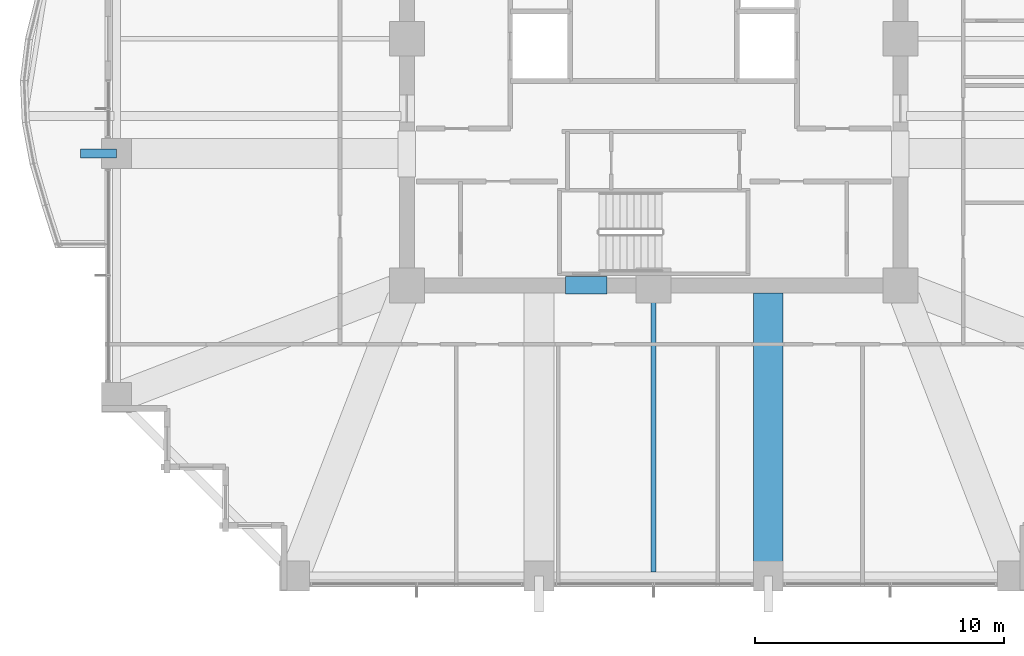
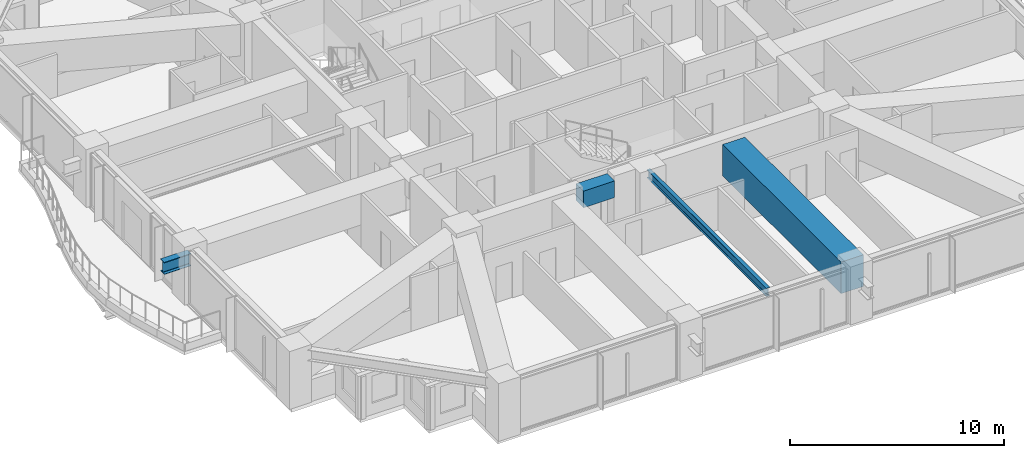
# One storey, part 7 of 39: 4 beams.
"""IFC4 building model written with IfcOpenShell, lengths in metres."""

import ifcopenshell
import ifcopenshell.guid

model = None  # the IFC model being written
_history = None  # IfcOwnerHistory: only IFC2X3 demands one
_inside = {}  # id of a spatial element -> (the spatial element, [elements in it])
_under = {}  # id of a project, library or spatial element -> (it, [spatial elements below it])
_declared = {}  # id of a project -> (the project, [libraries it declares])
_typed = {}  # id of a type object -> (the type object, [elements of that type])
_made_of = {}  # id of a material, layer set ... -> (it, [elements and type objects made of it])


def new_model(schema):
    """Start an empty IFC model of exactly this schema.

    Asked for "IFC4X3", IfcOpenShell would pick the latest addendum, in which some entities
    have other attributes; the version numbers below select the first issue.
    IFC2X3 requires an IfcOwnerHistory on every rooted entity: one is made here for all.
    """
    global model, _history
    if schema == "IFC4X3":
        model = ifcopenshell.file(schema_version=(4, 3, 0, 0))
    else:
        model = ifcopenshell.file(schema=schema)
    _inside.clear()
    _under.clear()
    _declared.clear()
    _typed.clear()
    _made_of.clear()
    _history = None
    if model.schema == "IFC2X3":
        org = make("IfcOrganization", Name="unknown")
        user = make(
            "IfcPersonAndOrganization",
            ThePerson=make("IfcPerson", FamilyName="unknown"),
            TheOrganization=org,
        )
        app = make(
            "IfcApplication",
            ApplicationDeveloper=org,
            Version="unknown",
            ApplicationFullName="unknown",
            ApplicationIdentifier="unknown",
        )
        _history = make(
            "IfcOwnerHistory",
            OwningUser=user,
            OwningApplication=app,
            ChangeAction="ADDED",
            CreationDate=0,
        )
    return model


def make(cls, **values):
    """One entity of the class cls with the attributes given. An attribute that is None is left unset."""
    return model.create_entity(
        cls, **{name: value for name, value in values.items() if value is not None}
    )


def rooted(cls, **values):
    """An entity with a GlobalId (a new one), such as an element, a storey or a relation."""
    return make(cls, GlobalId=ifcopenshell.guid.new(), OwnerHistory=_history, **values)


def si_unit(unit_type, name, prefix=None):
    """IfcSIUnit, for example si_unit("LENGTHUNIT", "METRE", prefix="MILLI")."""
    return make("IfcSIUnit", UnitType=unit_type, Prefix=prefix, Name=name)


def assignment(units):
    """IfcUnitAssignment: the units of a project."""
    return None if units is None else make("IfcUnitAssignment", Units=units)


def point(xyz):
    """IfcCartesianPoint."""
    return None if xyz is None else make("IfcCartesianPoint", Coordinates=xyz)


def direction(xyz):
    """IfcDirection."""
    return None if xyz is None else make("IfcDirection", DirectionRatios=xyz)


def frame(location, z_axis=None, x_axis=None):
    """IfcAxis2Placement3D, a coordinate frame: its origin and axes. An axis left out is left unset."""
    return make(
        "IfcAxis2Placement3D",
        Location=point(location),
        Axis=direction(z_axis),
        RefDirection=direction(x_axis),
    )


def frame_2d(location, x_axis=None):
    """IfcAxis2Placement2D, a coordinate frame in the plane: its origin and x axis."""
    return make(
        "IfcAxis2Placement2D", Location=point(location), RefDirection=direction(x_axis)
    )


def origin():
    """The frame at (0, 0, 0) with its axes left unset."""
    return frame((0.0, 0.0, 0.0))


def origin_2d():
    """The frame at (0, 0) in the plane with its x axis left unset."""
    return frame_2d((0.0, 0.0))


def place(relative_to, where):
    """IfcLocalPlacement: puts the frame where relative to a parent placement (None: the world)."""
    return make(
        "IfcLocalPlacement", PlacementRelTo=relative_to, RelativePlacement=where
    )


def context(
    kind, dimensions, precision=None, world=None, true_north=None, identifier=None
):
    """IfcGeometricRepresentationContext, for example the 3D "Model" context."""
    return make(
        "IfcGeometricRepresentationContext",
        ContextIdentifier=identifier,
        ContextType=kind,
        CoordinateSpaceDimension=dimensions,
        Precision=precision,
        WorldCoordinateSystem=world,
        TrueNorth=true_north,
    )


def subcontext(parent, identifier, kind, view, scale=None):
    """IfcGeometricRepresentationSubContext, for example "Body" below "Model"."""
    return make(
        "IfcGeometricRepresentationSubContext",
        ContextIdentifier=identifier,
        ContextType=kind,
        ParentContext=parent,
        TargetScale=scale,
        TargetView=view,
    )


def project(units=None, contexts=None):
    """IfcProject with its units and contexts."""
    return rooted(
        "IfcProject",
        Name="project",
        RepresentationContexts=contexts,
        UnitsInContext=assignment(units),
    )


def spatial(cls, under=None, at=None, **own):
    """A site, building, storey or space (cls), placed at a placement, below another one or the project."""
    s = rooted(cls, ObjectPlacement=at, **own)
    if under is not None:
        _under.setdefault(under.id(), (under, []))[1].append(s)
    return s


def profile(cls, at=None, kind="AREA", **sizes):
    """A parametric profile (cls). Its sizes go by their IFC names, for example OverallWidth=200.0."""
    return make(cls, ProfileType=kind, Position=at, **sizes)


def rectangle(**sizes):
    """IfcRectangleProfileDef."""
    return profile("IfcRectangleProfileDef", **sizes)


def i_section(**sizes):
    """IfcIShapeProfileDef."""
    return profile("IfcIShapeProfileDef", **sizes)


def extrude(swept, where, along, depth):
    """IfcExtrudedAreaSolid: the profile swept, set in the frame where, extruded along a direction by depth."""
    return make(
        "IfcExtrudedAreaSolid",
        SweptArea=swept,
        Position=where,
        ExtrudedDirection=direction(along),
        Depth=depth,
    )


def shape(context_of_items, identifier, shape_type, items):
    """IfcShapeRepresentation: the items that make up one representation, for example the "Body"."""
    return make(
        "IfcShapeRepresentation",
        ContextOfItems=context_of_items,
        RepresentationIdentifier=identifier,
        RepresentationType=shape_type,
        Items=items,
    )


def material(Name=None, Category=None):
    """IfcMaterial."""
    return make("IfcMaterial", Name=Name, Category=Category)


def material_profile(
    of_material, cross_section, Name=None, Category=None, Priority=None
):
    """IfcMaterialProfile: a cross section and its material."""
    return make(
        "IfcMaterialProfile",
        Name=Name,
        Material=of_material,
        Profile=cross_section,
        Priority=Priority,
        Category=Category,
    )


def profile_set(profiles, Name=None, composite=None):
    """IfcMaterialProfileSet."""
    return make(
        "IfcMaterialProfileSet",
        Name=Name,
        MaterialProfiles=profiles,
        CompositeProfile=composite,
    )


def made_of(thing, what):
    """Note that an element or type object is made of a material, layer set ...; save() writes the relation."""
    if what is not None:
        _made_of.setdefault(what.id(), (what, []))[1].append(thing)
    return thing


def type_object(cls, material=None, **own):
    """A type object (cls), such as IfcWallType, which elements share."""
    return made_of(rooted(cls, **own), material)


def element(
    cls,
    number,
    at=None,
    inside=None,
    cuts=None,
    type_object=None,
    material=None,
    context=None,
    identifier="Body",
    shape_type=None,
    held_by="IfcProductDefinitionShape",
    body=None,
    shapes=None,
    **own,
):
    """One element of the class cls, such as IfcWall. Its Tag is "e" and its number.

    at: its placement. inside: the storey or other place that contains it. cuts: it is an
    opening in that element (IfcRelVoidsElement). A single representation is given by context,
    identifier, shape_type and body (its items); several are given by shapes. held_by: the class
    of the entity that holds the representations. save() writes the other relations.
    """
    e = rooted(cls, Tag="e%d" % number, ObjectPlacement=at, **own)
    if body is not None:
        shapes = [shape(context, identifier, shape_type, body)]
    if shapes is not None:
        e.Representation = make(held_by, Representations=shapes)
    if inside is not None:
        _inside.setdefault(inside.id(), (inside, []))[1].append(e)
    if cuts is not None:
        rooted(
            "IfcRelVoidsElement", RelatingBuildingElement=cuts, RelatedOpeningElement=e
        )
    if type_object is not None:
        _typed.setdefault(type_object.id(), (type_object, []))[1].append(e)
    return made_of(e, material)


def aggregate(whole, parts):
    """IfcRelAggregates: a whole, such as a stair, and the parts it consists of."""
    return rooted("IfcRelAggregates", RelatingObject=whole, RelatedObjects=parts)


def save(model, path):
    """Write the relations noted so far, then the file.

    IfcRelAggregates (storeys below a building ...), IfcRelContainedInSpatialStructure (elements
    in a storey), IfcRelDefinesByType, IfcRelAssociatesMaterial and IfcRelDeclares: one each for
    every whole, place, type object, material and project.
    """
    for whole, parts in _under.values():
        aggregate(whole, parts)
    for where, things in _inside.values():
        rooted(
            "IfcRelContainedInSpatialStructure",
            RelatedElements=things,
            RelatingStructure=where,
        )
    for kind, things in _typed.values():
        rooted("IfcRelDefinesByType", RelatedObjects=things, RelatingType=kind)
    for what, things in _made_of.values():
        rooted("IfcRelAssociatesMaterial", RelatedObjects=things, RelatingMaterial=what)
    for by, libraries in _declared.values():
        rooted("IfcRelDeclares", RelatingContext=by, RelatedDefinitions=libraries)
    model.write(path)


model = new_model("IFC4")

# Units and contexts
model_context = context("Model", 3, precision=1e-05, world=origin(), true_north=direction((0.0, 1.0)))
body_context = subcontext(model_context, "Body", "Model", "MODEL_VIEW")
ifc_project = project(units=[si_unit("LENGTHUNIT", "METRE"), si_unit("AREAUNIT", "SQUARE_METRE"), si_unit("VOLUMEUNIT", "CUBIC_METRE"), si_unit("PLANEANGLEUNIT", "RADIAN"), si_unit("MASSUNIT", "GRAM", prefix="KILO")], contexts=[model_context])

# Site, building, storey
site_placement = place(None, origin())
site = spatial("IfcSite", under=ifc_project, at=site_placement, CompositionType="ELEMENT")
building_placement = place(site_placement, origin())
building = spatial("IfcBuilding", under=site, at=building_placement, Name="Kolvaren Belvedere", CompositionType="ELEMENT")
storey_placement = place(building_placement, frame((0.0, 0.0, 40.300048828125)))
storey = spatial("IfcBuildingStorey", under=building, at=storey_placement, Name="L11", CompositionType="ELEMENT", Elevation=40.300048828125)

# Beams
ifc_material_1 = material(Name="Structural steel ASTM A992 Grade 50", Category="steel")
ifc_material_profile_1 = material_profile(ifc_material_1, i_section(OverallWidth=0.35498046875, OverallDepth=0.696044921875, WebThickness=0.015380859375, FlangeThickness=0.02490234375, FilletRadius=0.02197265625, at=origin_2d()), Name="W27X146")
ifc_profile_set_1 = profile_set([ifc_material_profile_1], Name="Structural steel ASTM A992 Grade 50")
beam_type_1 = type_object("IfcBeamType", Name="BM-CANT-BAL", PredefinedType="BEAM", material=ifc_profile_set_1)
beam_1_placement = place(storey_placement, frame((-21.550048828125, -4.60009765625, 2.141845703125), z_axis=(-1.0, 0.0, 0.0), x_axis=(0.0, -1.0, 0.0)))
element("IfcBeam", 1, at=beam_1_placement, inside=storey, type_object=beam_type_1, Name="L11 West Picture-Frame Column Corbel M", PredefinedType="BEAM", context=body_context, shape_type="SweptSolid", body=[
    extrude(i_section(OverallWidth=0.35498046875, OverallDepth=0.696044921875, WebThickness=0.015380859375, FlangeThickness=0.02490234375, FilletRadius=0.02197265625, at=origin_2d()), origin(), (0.0, 0.0, 1.0), 1.449951171875),
])
ifc_material_2 = material(Name="Structural steel ASTM A992 Grade 50", Category="steel")
ifc_material_profile_2 = material_profile(ifc_material_2, i_section(OverallWidth=0.19091796875, OverallDepth=0.4599609375, WebThickness=0.010009765625, FlangeThickness=0.01611328125, FilletRadius=0.014892578125, at=origin_2d()), Name="W18X55")
ifc_profile_set_2 = profile_set([ifc_material_profile_2], Name="Structural steel ASTM A992 Grade 50")
beam_type_2 = type_object("IfcBeamType", Name="BM-JOIST-W18X55", PredefinedType="BEAM", material=ifc_profile_set_2)
beam_2_placement = place(storey_placement, frame((0.0, -10.199951171875, 2.829833984375), z_axis=(0.0, -1.0, 0.0), x_axis=(1.0, 0.0, 0.0)))
element("IfcBeam", 2, at=beam_2_placement, inside=storey, type_object=beam_type_2, Name="L11 South Centre Floor Beam", PredefinedType="BEAM", context=body_context, shape_type="SweptSolid", body=[
    extrude(i_section(OverallWidth=0.19091796875, OverallDepth=0.4599609375, WebThickness=0.010009765625, FlangeThickness=0.01611328125, FilletRadius=0.014892578125, at=origin_2d()), origin(), (0.0, 0.0, 1.0), 11.1875),
])
ifc_material_3 = material(Name="Concrete C60/75", Category="concrete")
ifc_material_profile_3 = material_profile(ifc_material_3, rectangle(XDim=0.699951171875, YDim=0.949951171875, at=origin_2d()), Name="RC 700X950")
ifc_profile_set_3 = profile_set([ifc_material_profile_3], Name="Concrete C60/75")
beam_type_3 = type_object("IfcBeamType", Name="BM-LINT-950", PredefinedType="LINTEL", material=ifc_profile_set_3)
beam_3_placement = place(storey_placement, frame((-3.5400390625, -9.89990234375, 2.5849609375), z_axis=(1.0, 0.0, 0.0), x_axis=(0.0, 1.0, 0.0)))
element("IfcBeam", 3, at=beam_3_placement, inside=storey, type_object=beam_type_3, Name="L11 South Core Coupling Lintel", PredefinedType="LINTEL", context=body_context, shape_type="SweptSolid", body=[
    extrude(rectangle(XDim=0.699951171875, YDim=0.949951171875, at=origin_2d()), origin(), (0.0, 0.0, 1.0), 1.679931640625),
])
ifc_material_4 = material(Name="Concrete C50/60", Category="concrete")
ifc_material_profile_4 = material_profile(ifc_material_4, rectangle(XDim=1.199951171875, YDim=1.800048828125, at=origin_2d()), Name="RC 1200X1800")
ifc_profile_set_4 = profile_set([ifc_material_profile_4], Name="Concrete C50/60")
beam_type_4 = type_object("IfcBeamType", Name="BM-TG-1800", PredefinedType="BEAM", material=ifc_profile_set_4)
beam_4_placement = place(storey_placement, frame((4.60009765625, -10.199951171875, 2.159912109375), z_axis=(0.0, -1.0, 0.0), x_axis=(1.0, 0.0, 0.0)))
element("IfcBeam", 4, at=beam_4_placement, inside=storey, type_object=beam_type_4, Name="L11 South Radial Girder P", PredefinedType="BEAM", context=body_context, shape_type="SweptSolid", body=[
    extrude(rectangle(XDim=1.199951171875, YDim=1.800048828125, at=origin_2d()), origin(), (0.0, 0.0, 1.0), 11.080078125),
])

save(model, "model.ifc")
